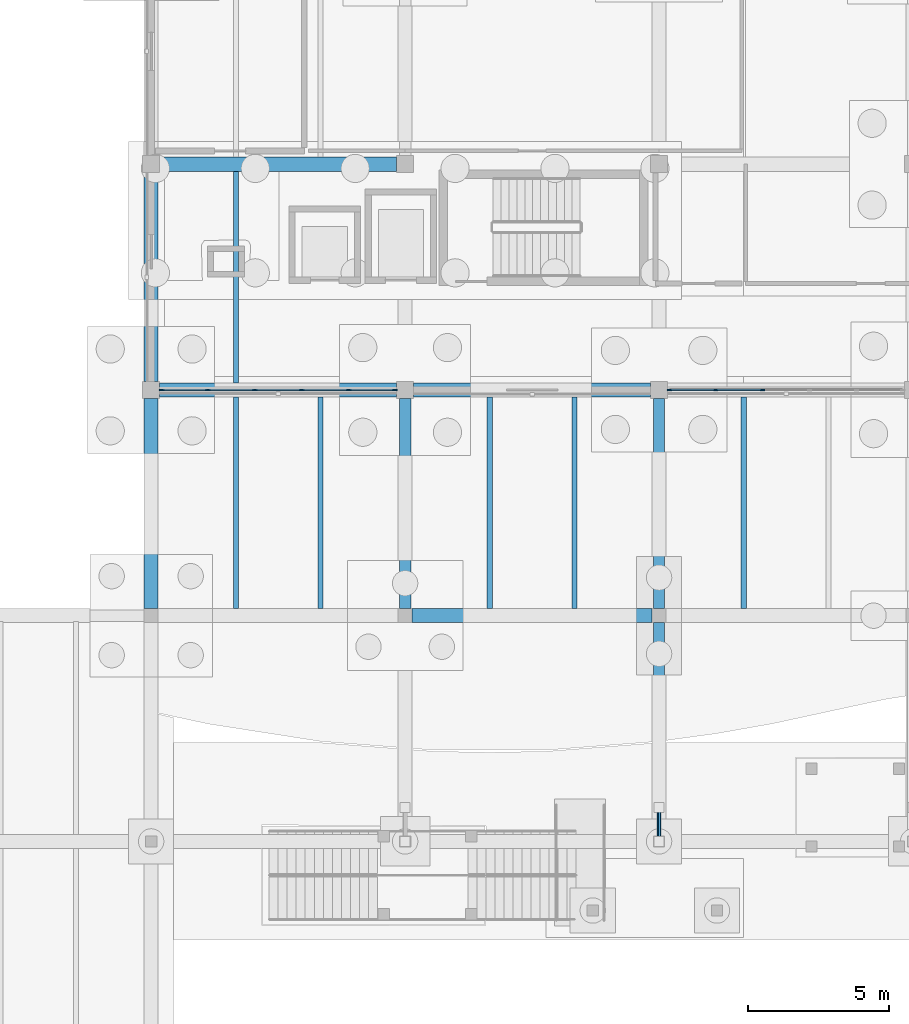
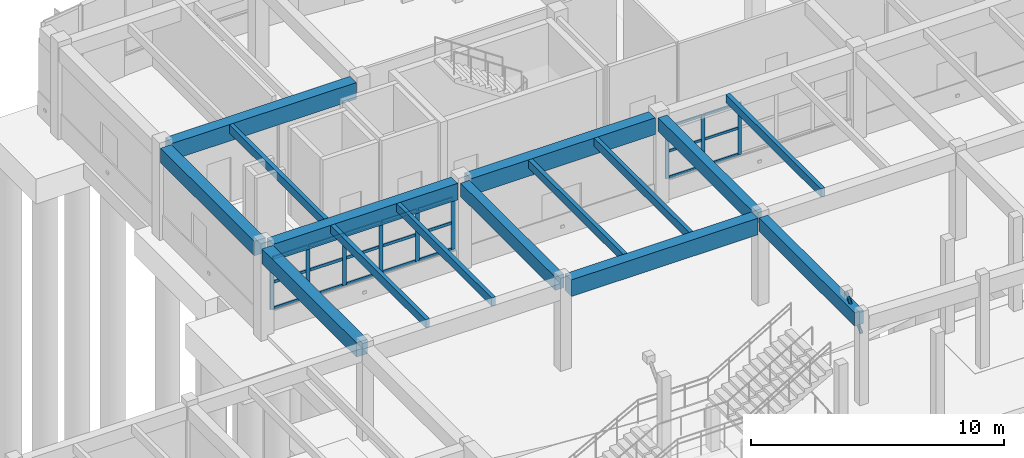
# One storey, part 29 of 99: 31 members, 15 beams, 2 elements without a shape of their own.
"""IFC4 building model written with IfcOpenShell, lengths in metres."""

from ifc_helpers import new_model, si_unit, direction, frame, origin, origin_2d, place, context, subcontext, project, spatial, rectangle, hollow_circle, extrude, material, layer, layer_set, material_profile, profile_set, type_object, element, aggregate, save


model = new_model("IFC4")

# Units and contexts
model_context = context("Model", 3, precision=1e-05, world=origin(), true_north=direction((0.0, 1.0)))
body_context = subcontext(model_context, "Body", "Model", "MODEL_VIEW")
ifc_project = project(units=[si_unit("LENGTHUNIT", "METRE"), si_unit("AREAUNIT", "SQUARE_METRE"), si_unit("VOLUMEUNIT", "CUBIC_METRE"), si_unit("PLANEANGLEUNIT", "RADIAN"), si_unit("MASSUNIT", "GRAM", prefix="KILO")], contexts=[model_context])

# Site, building, storey
site_placement = place(None, origin())
site = spatial("IfcSite", under=ifc_project, at=site_placement, CompositionType="ELEMENT")
building_placement = place(site_placement, origin())
building = spatial("IfcBuilding", under=site, at=building_placement, Name="Tonlespit Floodbar School", CompositionType="ELEMENT")
storey_placement = place(building_placement, origin())
storey = spatial("IfcBuildingStorey", under=building, at=storey_placement, Name="L00", CompositionType="ELEMENT", Elevation=0.0)

# Beams
ifc_material_1 = material(Name="Concrete C40/50", Category="concrete")
ifc_material_profile_1 = material_profile(ifc_material_1, rectangle(XDim=0.39990234375, YDim=0.64990234375, at=origin_2d()), Name="RC 400x650")
ifc_profile_set_1 = profile_set([ifc_material_profile_1], Name="Concrete C40/50")
beam_type_1 = type_object("IfcBeamType", Name="Beam_RC_400x650", PredefinedType="BEAM", material=ifc_profile_set_1)
beam_1_placement = place(storey_placement, frame((53.0, 96.25, 3.9150390625), z_axis=(0.0, 1.0, 0.0), x_axis=(-1.0, 0.0, 0.0)))
element("IfcBeam", 1, at=beam_1_placement, inside=storey, type_object=beam_type_1, Name="L00 girder 0236", PredefinedType="BEAM", context=body_context, shape_type="SweptSolid", body=[
    extrude(rectangle(XDim=0.39990234375, YDim=0.64990234375, at=origin_2d()), origin(), (0.0, 0.0, 1.0), 7.449951171875),
])
beam_2_placement = place(storey_placement, frame((62.0, 88.199951171875, 3.9150390625), z_axis=(0.0, 1.0, 0.0), x_axis=(-1.0, 0.0, 0.0)))
element("IfcBeam", 2, at=beam_2_placement, inside=storey, type_object=beam_type_1, Name="L00 girder 0238", PredefinedType="BEAM", context=body_context, shape_type="SweptSolid", body=[
    extrude(rectangle(XDim=0.39990234375, YDim=0.64990234375, at=origin_2d()), origin(), (0.0, 0.0, 1.0), 7.550048828125),
])
beam_3_placement = place(storey_placement, frame((62.0, 96.25, 3.9150390625), z_axis=(0.0, 1.0, 0.0), x_axis=(-1.0, 0.0, 0.0)))
element("IfcBeam", 3, at=beam_3_placement, inside=storey, type_object=beam_type_1, Name="L00 girder 0239", PredefinedType="BEAM", context=body_context, shape_type="SweptSolid", body=[
    extrude(rectangle(XDim=0.39990234375, YDim=0.64990234375, at=origin_2d()), origin(), (0.0, 0.0, 1.0), 7.449951171875),
])
ifc_material_profile_2 = material_profile(ifc_material_1, rectangle(XDim=0.5, YDim=0.800048828125, at=origin_2d()), Name="RC 500x800")
ifc_profile_set_2 = profile_set([ifc_material_profile_2], Name="Concrete C40/50")
beam_type_2 = type_object("IfcBeamType", Name="Beam_RC_500x800", PredefinedType="BEAM", material=ifc_profile_set_2)
beam_4_placement = place(storey_placement, frame((53.25, 96.0, 3.840087890625), z_axis=(1.0, 0.0, 0.0), x_axis=(0.0, 1.0, 0.0)))
element("IfcBeam", 4, at=beam_4_placement, inside=storey, type_object=beam_type_2, Name="L00 girder 0113", PredefinedType="BEAM", context=body_context, shape_type="SweptSolid", body=[
    extrude(rectangle(XDim=0.5, YDim=0.800048828125, at=origin_2d()), origin(), (0.0, 0.0, 1.0), 8.5),
])
for number, where, z_axis, x_axis, name in (
    (5, (44.300048828125, 104.0, 3.840087890625), (1.0, 0.0, 0.0), (0.0, 1.0, 0.0), "L00 girder 0124"),
    (6, (53.300048828125, 104.0, 3.840087890625), (1.0, 0.0, 0.0), (0.0, 1.0, 0.0), "L00 girder 0125"),
    (7, (44.300048828125, 112.0, 3.840087890625), (1.0, 0.0, 0.0), (0.0, 1.0, 0.0), "L00 girder 0140"),
):
    element("IfcBeam", number, at=place(storey_placement, frame(where, z_axis=z_axis, x_axis=x_axis)), inside=storey, type_object=beam_type_2, Name=name, PredefinedType="BEAM", context=body_context, shape_type="SweptSolid", body=[
        extrude(rectangle(XDim=0.5, YDim=0.800048828125, at=origin_2d()), origin(), (0.0, 0.0, 1.0), 8.39990234375),
    ])

# Curtain wall, members
ifc_material_2 = material(Name="Anodised Aluminium", Category="aluminium")
ifc_layer = layer(ifc_material_2, 0.159912109375)
ifc_layer_set = layer_set([ifc_layer], Name="Anodised Aluminium")
curtain_wall_type = type_object("IfcCurtainWallType", Name="CurtainWall_8300x2500", PredefinedType="NOTDEFINED", material=ifc_layer_set)
curtain_wall_1_placement = place(storey_placement, origin())
curtain_wall_1 = element("IfcCurtainWall", 8, at=curtain_wall_1_placement, inside=storey, type_object=curtain_wall_type, Name="L00 unitised curtain wall 0038", PredefinedType="NOTDEFINED")
ifc_material_profile_3 = material_profile(ifc_material_2, rectangle(XDim=0.06494140625, YDim=0.14990234375, at=origin_2d()), Name="ALU M65x150")
ifc_profile_set_3 = profile_set([ifc_material_profile_3], Name="Anodised Aluminium")
member_type_1 = type_object("IfcMemberType", Name="CW_Mullion_65x150", PredefinedType="MULLION", material=ifc_profile_set_3)
member_1_placement = place(storey_placement, frame((65.66796875, 104.0, 0.949951171875), z_axis=(0.0, 0.0, 1.0), x_axis=(0.0, -1.0, 0.0)))
member_1 = element("IfcMember", 9, at=member_1_placement, type_object=member_type_1, Name="CW-03 mullion 4", PredefinedType="MULLION", context=body_context, shape_type="SweptSolid", body=[
    extrude(rectangle(XDim=0.06494140625, YDim=0.14990234375, at=origin_2d()), origin(), (0.0, 0.0, 1.0), 2.489990234375),
])
member_2_placement = place(storey_placement, frame((64.00390625, 104.0, 0.949951171875), z_axis=(0.0, 0.0, 1.0), x_axis=(0.0, -1.0, 0.0)))
member_2 = element("IfcMember", 10, at=member_2_placement, type_object=member_type_1, Name="CW-03 mullion 5", PredefinedType="MULLION", context=body_context, shape_type="SweptSolid", body=[
    extrude(rectangle(XDim=0.06494140625, YDim=0.14990234375, at=origin_2d()), origin(), (0.0, 0.0, 1.0), 2.489990234375),
])
member_3_placement = place(storey_placement, frame((62.37255859375, 104.0, 0.949951171875), z_axis=(0.0, 0.0, 1.0), x_axis=(0.0, -1.0, 0.0)))
member_3 = element("IfcMember", 11, at=member_3_placement, type_object=member_type_1, Name="CW-03 mullion 6", PredefinedType="MULLION", context=body_context, shape_type="SweptSolid", body=[
    extrude(rectangle(XDim=0.06494140625, YDim=0.14990234375, at=origin_2d()), origin(), (0.0, 0.0, 1.0), 2.489990234375),
])

curtain_wall_2_placement = place(storey_placement, origin())
curtain_wall_2 = element("IfcCurtainWall", 12, at=curtain_wall_2_placement, inside=storey, type_object=curtain_wall_type, Name="L00 unitised curtain wall 0039", PredefinedType="NOTDEFINED")
ifc_material_profile_4 = material_profile(ifc_material_2, rectangle(XDim=0.06494140625, YDim=0.179931640625, at=origin_2d()), Name="ALU M65x180")
ifc_profile_set_4 = profile_set([ifc_material_profile_4], Name="Anodised Aluminium")
member_type_2 = type_object("IfcMemberType", Name="CW_Mullion_65x180", PredefinedType="MULLION", material=ifc_profile_set_4)
member_4_placement = place(storey_placement, frame((52.62744140625, 104.0, 0.949951171875), z_axis=(0.0, 0.0, 1.0), x_axis=(0.0, -1.0, 0.0)))
member_4 = element("IfcMember", 13, at=member_4_placement, type_object=member_type_2, Name="CW-03 mullion 1", PredefinedType="MULLION", context=body_context, shape_type="SweptSolid", body=[
    extrude(rectangle(XDim=0.06494140625, YDim=0.179931640625, at=origin_2d()), origin(), (0.0, 0.0, 1.0), 2.489990234375),
])
member_5_placement = place(storey_placement, frame((50.99609375, 104.0, 0.949951171875), z_axis=(0.0, 0.0, 1.0), x_axis=(0.0, -1.0, 0.0)))
member_5 = element("IfcMember", 14, at=member_5_placement, type_object=member_type_2, Name="CW-03 mullion 2", PredefinedType="MULLION", context=body_context, shape_type="SweptSolid", body=[
    extrude(rectangle(XDim=0.06494140625, YDim=0.179931640625, at=origin_2d()), origin(), (0.0, 0.0, 1.0), 2.489990234375),
])
member_6_placement = place(storey_placement, frame((49.33203125, 104.0, 0.949951171875), z_axis=(0.0, 0.0, 1.0), x_axis=(0.0, -1.0, 0.0)))
member_6 = element("IfcMember", 15, at=member_6_placement, type_object=member_type_2, Name="CW-03 mullion 3", PredefinedType="MULLION", context=body_context, shape_type="SweptSolid", body=[
    extrude(rectangle(XDim=0.06494140625, YDim=0.179931640625, at=origin_2d()), origin(), (0.0, 0.0, 1.0), 2.489990234375),
])
member_7_placement = place(storey_placement, frame((47.66796875, 104.0, 0.949951171875), z_axis=(0.0, 0.0, 1.0), x_axis=(0.0, -1.0, 0.0)))
member_7 = element("IfcMember", 16, at=member_7_placement, type_object=member_type_2, Name="CW-03 mullion 4", PredefinedType="MULLION", context=body_context, shape_type="SweptSolid", body=[
    extrude(rectangle(XDim=0.06494140625, YDim=0.179931640625, at=origin_2d()), origin(), (0.0, 0.0, 1.0), 2.489990234375),
])
member_8_placement = place(storey_placement, frame((46.00390625, 104.0, 0.949951171875), z_axis=(0.0, 0.0, 1.0), x_axis=(0.0, -1.0, 0.0)))
member_8 = element("IfcMember", 17, at=member_8_placement, type_object=member_type_2, Name="CW-03 mullion 5", PredefinedType="MULLION", context=body_context, shape_type="SweptSolid", body=[
    extrude(rectangle(XDim=0.06494140625, YDim=0.179931640625, at=origin_2d()), origin(), (0.0, 0.0, 1.0), 2.489990234375),
])
member_9_placement = place(storey_placement, frame((44.37255859375, 104.0, 0.949951171875), z_axis=(0.0, 0.0, 1.0), x_axis=(0.0, -1.0, 0.0)))
member_9 = element("IfcMember", 18, at=member_9_placement, type_object=member_type_2, Name="CW-03 mullion 6", PredefinedType="MULLION", context=body_context, shape_type="SweptSolid", body=[
    extrude(rectangle(XDim=0.06494140625, YDim=0.179931640625, at=origin_2d()), origin(), (0.0, 0.0, 1.0), 2.489990234375),
])

# Member
ifc_material_profile_5 = material_profile(ifc_material_2, rectangle(XDim=0.06494140625, YDim=0.1201171875, at=origin_2d()), Name="ALU T65x120")
ifc_profile_set_5 = profile_set([ifc_material_profile_5], Name="Anodised Aluminium")
member_type_3 = type_object("IfcMemberType", Name="CW_Transom_65x120", PredefinedType="USERDEFINED", material=ifc_profile_set_5)
member_10_placement = place(storey_placement, frame((65.635498046875, 104.0, 0.982421875), z_axis=(-1.0, 0.0, 0.0), x_axis=(0.0, -1.0, 0.0)))
member_10 = element("IfcMember", 19, at=member_10_placement, type_object=member_type_3, Name="CW-03 transom 4.1", ObjectType="TRANSOM", PredefinedType="USERDEFINED", context=body_context, shape_type="SweptSolid", body=[
    extrude(rectangle(XDim=0.06494140625, YDim=0.1201171875, at=origin_2d()), origin(), (0.0, 0.0, 1.0), 1.598876953125),
])

member_11_placement = place(storey_placement, frame((65.635498046875, 104.0, 2.244873046875), z_axis=(-1.0, 0.0, 0.0), x_axis=(0.0, -1.0, 0.0)))
member_11 = element("IfcMember", 20, at=member_11_placement, type_object=member_type_3, Name="CW-03 transom 4.2", ObjectType="TRANSOM", PredefinedType="USERDEFINED", context=body_context, shape_type="SweptSolid", body=[
    extrude(rectangle(XDim=0.06494140625, YDim=0.1201171875, at=origin_2d()), origin(), (0.0, 0.0, 1.0), 1.598876953125),
])

member_12_placement = place(storey_placement, frame((65.635498046875, 104.0, 3.407470703125), z_axis=(-1.0, 0.0, 0.0), x_axis=(0.0, -1.0, 0.0)))
member_12 = element("IfcMember", 21, at=member_12_placement, type_object=member_type_3, Name="CW-03 transom 4.3", ObjectType="TRANSOM", PredefinedType="USERDEFINED", context=body_context, shape_type="SweptSolid", body=[
    extrude(rectangle(XDim=0.06494140625, YDim=0.1201171875, at=origin_2d()), origin(), (0.0, 0.0, 1.0), 1.598876953125),
])

member_13_placement = place(storey_placement, frame((63.971435546875, 104.0, 0.982421875), z_axis=(-1.0, 0.0, 0.0), x_axis=(0.0, -1.0, 0.0)))
member_13 = element("IfcMember", 22, at=member_13_placement, type_object=member_type_3, Name="CW-03 transom 5.1", ObjectType="TRANSOM", PredefinedType="USERDEFINED", context=body_context, shape_type="SweptSolid", body=[
    extrude(rectangle(XDim=0.06494140625, YDim=0.1201171875, at=origin_2d()), origin(), (0.0, 0.0, 1.0), 1.56640625),
])

member_14_placement = place(storey_placement, frame((63.971435546875, 104.0, 2.244873046875), z_axis=(-1.0, 0.0, 0.0), x_axis=(0.0, -1.0, 0.0)))
member_14 = element("IfcMember", 23, at=member_14_placement, type_object=member_type_3, Name="CW-03 transom 5.2", ObjectType="TRANSOM", PredefinedType="USERDEFINED", context=body_context, shape_type="SweptSolid", body=[
    extrude(rectangle(XDim=0.06494140625, YDim=0.1201171875, at=origin_2d()), origin(), (0.0, 0.0, 1.0), 1.56640625),
])

member_15_placement = place(storey_placement, frame((63.971435546875, 104.0, 3.407470703125), z_axis=(-1.0, 0.0, 0.0), x_axis=(0.0, -1.0, 0.0)))
member_15 = element("IfcMember", 24, at=member_15_placement, type_object=member_type_3, Name="CW-03 transom 5.3", ObjectType="TRANSOM", PredefinedType="USERDEFINED", context=body_context, shape_type="SweptSolid", body=[
    extrude(rectangle(XDim=0.06494140625, YDim=0.1201171875, at=origin_2d()), origin(), (0.0, 0.0, 1.0), 1.56640625),
])

aggregate(curtain_wall_1, [member_1, member_2, member_3, member_10, member_11, member_12, member_13, member_14, member_15])

ifc_material_profile_6 = material_profile(ifc_material_2, rectangle(XDim=0.06494140625, YDim=0.139892578125, at=origin_2d()), Name="ALU T65x140")
ifc_profile_set_6 = profile_set([ifc_material_profile_6], Name="Anodised Aluminium")
member_type_4 = type_object("IfcMemberType", Name="CW_Transom_65x140", PredefinedType="USERDEFINED", material=ifc_profile_set_6)
member_16_placement = place(storey_placement, frame((52.594970703125, 104.0, 0.982421875), z_axis=(-1.0, 0.0, 0.0), x_axis=(0.0, -1.0, 0.0)))
member_16 = element("IfcMember", 25, at=member_16_placement, type_object=member_type_4, Name="CW-03 transom 1.1", ObjectType="TRANSOM", PredefinedType="USERDEFINED", context=body_context, shape_type="SweptSolid", body=[
    extrude(rectangle(XDim=0.06494140625, YDim=0.139892578125, at=origin_2d()), origin(), (0.0, 0.0, 1.0), 1.56640625),
])

member_17_placement = place(storey_placement, frame((52.594970703125, 104.0, 2.244873046875), z_axis=(-1.0, 0.0, 0.0), x_axis=(0.0, -1.0, 0.0)))
member_17 = element("IfcMember", 26, at=member_17_placement, type_object=member_type_4, Name="CW-03 transom 1.2", ObjectType="TRANSOM", PredefinedType="USERDEFINED", context=body_context, shape_type="SweptSolid", body=[
    extrude(rectangle(XDim=0.06494140625, YDim=0.139892578125, at=origin_2d()), origin(), (0.0, 0.0, 1.0), 1.56640625),
])

member_18_placement = place(storey_placement, frame((52.594970703125, 104.0, 3.407470703125), z_axis=(-1.0, 0.0, 0.0), x_axis=(0.0, -1.0, 0.0)))
member_18 = element("IfcMember", 27, at=member_18_placement, type_object=member_type_4, Name="CW-03 transom 1.3", ObjectType="TRANSOM", PredefinedType="USERDEFINED", context=body_context, shape_type="SweptSolid", body=[
    extrude(rectangle(XDim=0.06494140625, YDim=0.139892578125, at=origin_2d()), origin(), (0.0, 0.0, 1.0), 1.56640625),
])

member_19_placement = place(storey_placement, frame((50.96337890625, 104.0, 0.982421875), z_axis=(-1.0, 0.0, 0.0), x_axis=(0.0, -1.0, 0.0)))
member_19 = element("IfcMember", 28, at=member_19_placement, type_object=member_type_4, Name="CW-03 transom 2.1", ObjectType="TRANSOM", PredefinedType="USERDEFINED", context=body_context, shape_type="SweptSolid", body=[
    extrude(rectangle(XDim=0.06494140625, YDim=0.139892578125, at=origin_2d()), origin(), (0.0, 0.0, 1.0), 1.598876953125),
])

member_20_placement = place(storey_placement, frame((50.96337890625, 104.0, 2.244873046875), z_axis=(-1.0, 0.0, 0.0), x_axis=(0.0, -1.0, 0.0)))
member_20 = element("IfcMember", 29, at=member_20_placement, type_object=member_type_4, Name="CW-03 transom 2.2", ObjectType="TRANSOM", PredefinedType="USERDEFINED", context=body_context, shape_type="SweptSolid", body=[
    extrude(rectangle(XDim=0.06494140625, YDim=0.139892578125, at=origin_2d()), origin(), (0.0, 0.0, 1.0), 1.598876953125),
])

member_21_placement = place(storey_placement, frame((50.96337890625, 104.0, 3.407470703125), z_axis=(-1.0, 0.0, 0.0), x_axis=(0.0, -1.0, 0.0)))
member_21 = element("IfcMember", 30, at=member_21_placement, type_object=member_type_4, Name="CW-03 transom 2.3", ObjectType="TRANSOM", PredefinedType="USERDEFINED", context=body_context, shape_type="SweptSolid", body=[
    extrude(rectangle(XDim=0.06494140625, YDim=0.139892578125, at=origin_2d()), origin(), (0.0, 0.0, 1.0), 1.598876953125),
])

member_22_placement = place(storey_placement, frame((49.299560546875, 104.0, 0.982421875), z_axis=(-1.0, 0.0, 0.0), x_axis=(0.0, -1.0, 0.0)))
member_22 = element("IfcMember", 31, at=member_22_placement, type_object=member_type_4, Name="CW-03 transom 3.1", ObjectType="TRANSOM", PredefinedType="USERDEFINED", context=body_context, shape_type="SweptSolid", body=[
    extrude(rectangle(XDim=0.06494140625, YDim=0.139892578125, at=origin_2d()), origin(), (0.0, 0.0, 1.0), 1.59912109375),
])

member_23_placement = place(storey_placement, frame((49.299560546875, 104.0, 2.244873046875), z_axis=(-1.0, 0.0, 0.0), x_axis=(0.0, -1.0, 0.0)))
member_23 = element("IfcMember", 32, at=member_23_placement, type_object=member_type_4, Name="CW-03 transom 3.2", ObjectType="TRANSOM", PredefinedType="USERDEFINED", context=body_context, shape_type="SweptSolid", body=[
    extrude(rectangle(XDim=0.06494140625, YDim=0.139892578125, at=origin_2d()), origin(), (0.0, 0.0, 1.0), 1.59912109375),
])

member_24_placement = place(storey_placement, frame((49.299560546875, 104.0, 3.407470703125), z_axis=(-1.0, 0.0, 0.0), x_axis=(0.0, -1.0, 0.0)))
member_24 = element("IfcMember", 33, at=member_24_placement, type_object=member_type_4, Name="CW-03 transom 3.3", ObjectType="TRANSOM", PredefinedType="USERDEFINED", context=body_context, shape_type="SweptSolid", body=[
    extrude(rectangle(XDim=0.06494140625, YDim=0.139892578125, at=origin_2d()), origin(), (0.0, 0.0, 1.0), 1.59912109375),
])

member_25_placement = place(storey_placement, frame((47.635498046875, 104.0, 0.982421875), z_axis=(-1.0, 0.0, 0.0), x_axis=(0.0, -1.0, 0.0)))
member_25 = element("IfcMember", 34, at=member_25_placement, type_object=member_type_4, Name="CW-03 transom 4.1", ObjectType="TRANSOM", PredefinedType="USERDEFINED", context=body_context, shape_type="SweptSolid", body=[
    extrude(rectangle(XDim=0.06494140625, YDim=0.139892578125, at=origin_2d()), origin(), (0.0, 0.0, 1.0), 1.598876953125),
])

member_26_placement = place(storey_placement, frame((47.635498046875, 104.0, 2.244873046875), z_axis=(-1.0, 0.0, 0.0), x_axis=(0.0, -1.0, 0.0)))
member_26 = element("IfcMember", 35, at=member_26_placement, type_object=member_type_4, Name="CW-03 transom 4.2", ObjectType="TRANSOM", PredefinedType="USERDEFINED", context=body_context, shape_type="SweptSolid", body=[
    extrude(rectangle(XDim=0.06494140625, YDim=0.139892578125, at=origin_2d()), origin(), (0.0, 0.0, 1.0), 1.598876953125),
])

member_27_placement = place(storey_placement, frame((47.635498046875, 104.0, 3.407470703125), z_axis=(-1.0, 0.0, 0.0), x_axis=(0.0, -1.0, 0.0)))
member_27 = element("IfcMember", 36, at=member_27_placement, type_object=member_type_4, Name="CW-03 transom 4.3", ObjectType="TRANSOM", PredefinedType="USERDEFINED", context=body_context, shape_type="SweptSolid", body=[
    extrude(rectangle(XDim=0.06494140625, YDim=0.139892578125, at=origin_2d()), origin(), (0.0, 0.0, 1.0), 1.598876953125),
])

member_28_placement = place(storey_placement, frame((45.971435546875, 104.0, 0.982421875), z_axis=(-1.0, 0.0, 0.0), x_axis=(0.0, -1.0, 0.0)))
member_28 = element("IfcMember", 37, at=member_28_placement, type_object=member_type_4, Name="CW-03 transom 5.1", ObjectType="TRANSOM", PredefinedType="USERDEFINED", context=body_context, shape_type="SweptSolid", body=[
    extrude(rectangle(XDim=0.06494140625, YDim=0.139892578125, at=origin_2d()), origin(), (0.0, 0.0, 1.0), 1.56640625),
])

member_29_placement = place(storey_placement, frame((45.971435546875, 104.0, 2.244873046875), z_axis=(-1.0, 0.0, 0.0), x_axis=(0.0, -1.0, 0.0)))
member_29 = element("IfcMember", 38, at=member_29_placement, type_object=member_type_4, Name="CW-03 transom 5.2", ObjectType="TRANSOM", PredefinedType="USERDEFINED", context=body_context, shape_type="SweptSolid", body=[
    extrude(rectangle(XDim=0.06494140625, YDim=0.139892578125, at=origin_2d()), origin(), (0.0, 0.0, 1.0), 1.56640625),
])

member_30_placement = place(storey_placement, frame((45.971435546875, 104.0, 3.407470703125), z_axis=(-1.0, 0.0, 0.0), x_axis=(0.0, -1.0, 0.0)))
member_30 = element("IfcMember", 39, at=member_30_placement, type_object=member_type_4, Name="CW-03 transom 5.3", ObjectType="TRANSOM", PredefinedType="USERDEFINED", context=body_context, shape_type="SweptSolid", body=[
    extrude(rectangle(XDim=0.06494140625, YDim=0.139892578125, at=origin_2d()), origin(), (0.0, 0.0, 1.0), 1.56640625),
])

aggregate(curtain_wall_2, [member_4, member_5, member_6, member_7, member_8, member_9, member_16, member_17, member_18, member_19, member_20, member_21, member_22, member_23, member_24, member_25, member_26, member_27, member_28, member_29, member_30])

# Beams
ifc_material_3 = material(Name="Glulam GL28h", Category="wood")
ifc_material_profile_7 = material_profile(ifc_material_3, rectangle(XDim=0.179931640625, YDim=0.39990234375, at=origin_2d()), Name="GL 180x400")
ifc_profile_set_7 = profile_set([ifc_material_profile_7], Name="Glulam GL28h")
beam_type_3 = type_object("IfcBeamType", Name="Joist_GL_180x400", PredefinedType="JOIST", material=ifc_profile_set_7)
for number, where, z_axis, x_axis, name in (
    (40, (47.0, 96.25, 4.0400390625), (0.0, 1.0, 0.0), (-1.0, 0.0, 0.0), "L00 secondary joist 0480"),
    (41, (50.0, 96.25, 4.0400390625), (0.0, 1.0, 0.0), (-1.0, 0.0, 0.0), "L00 secondary joist 0481"),
    (42, (56.0, 96.25, 4.0400390625), (0.0, 1.0, 0.0), (-1.0, 0.0, 0.0), "L00 secondary joist 0482"),
    (43, (59.0, 96.25, 4.0400390625), (0.0, 1.0, 0.0), (-1.0, 0.0, 0.0), "L00 secondary joist 0483"),
    (44, (65.0, 96.25, 4.0400390625), (0.0, 1.0, 0.0), (-1.0, 0.0, 0.0), "L00 secondary joist 0484"),
    (45, (47.0, 104.25, 4.0400390625), (0.0, 1.0, 0.0), (-1.0, 0.0, 0.0), "L00 secondary joist 0504"),
):
    element("IfcBeam", number, at=place(storey_placement, frame(where, z_axis=z_axis, x_axis=x_axis)), inside=storey, type_object=beam_type_3, Name=name, PredefinedType="JOIST", context=body_context, shape_type="SweptSolid", body=[
        extrude(rectangle(XDim=0.179931640625, YDim=0.39990234375, at=origin_2d()), origin(), (0.0, 0.0, 1.0), 7.5),
    ])
ifc_material_profile_8 = material_profile(ifc_material_1, rectangle(XDim=0.5, YDim=0.699951171875, at=origin_2d()), Name="RC 500x700")
ifc_profile_set_8 = profile_set([ifc_material_profile_8], Name="Concrete C40/50")
beam_type_4 = type_object("IfcBeamType", Name="Spandrel_RC_500x700", PredefinedType="SPANDREL", material=ifc_profile_set_8)
beam_5_placement = place(storey_placement, frame((44.0, 96.25, 3.889892578125), z_axis=(0.0, 1.0, 0.0), x_axis=(-1.0, 0.0, 0.0)))
element("IfcBeam", 46, at=beam_5_placement, inside=storey, type_object=beam_type_4, Name="L00 girder 0233", PredefinedType="SPANDREL", context=body_context, shape_type="SweptSolid", body=[
    extrude(rectangle(XDim=0.5, YDim=0.699951171875, at=origin_2d()), origin(), (0.0, 0.0, 1.0), 7.449951171875),
])
beam_6_placement = place(storey_placement, frame((44.0, 104.300048828125, 3.889892578125), z_axis=(0.0, 1.0, 0.0), x_axis=(-1.0, 0.0, 0.0)))
element("IfcBeam", 47, at=beam_6_placement, inside=storey, type_object=beam_type_4, Name="L00 girder 0234", PredefinedType="SPANDREL", context=body_context, shape_type="SweptSolid", body=[
    extrude(rectangle(XDim=0.5, YDim=0.699951171875, at=origin_2d()), origin(), (0.0, 0.0, 1.0), 7.39990234375),
])

# Member
ifc_material_4 = material(Name="Steel S355", Category="steel")
ifc_material_profile_9 = material_profile(ifc_material_4, hollow_circle(Radius=0.06982421875, WallThickness=0.00634765625, at=origin_2d()), Name="CHS 139.7x6.3")
ifc_profile_set_9 = profile_set([ifc_material_profile_9], Name="Steel S355")
member_type_5 = type_object("IfcMemberType", Name="Strut_STL_CHS139", PredefinedType="STRUT", material=ifc_profile_set_9)
member_31_placement = place(storey_placement, frame((62.0, 88.0, 3.300048828125), z_axis=(0.0, 0.68391798523, 0.729558900623), x_axis=(-1.0, 0.0, 0.0)))
element("IfcMember", 48, at=member_31_placement, inside=storey, type_object=member_type_5, Name="North colonnade canopy strut 9", PredefinedType="STRUT", context=body_context, shape_type="SweptSolid", body=[
    extrude(hollow_circle(Radius=0.06982421875, WallThickness=0.00634765625, at=origin_2d()), origin(), (0.0, 0.0, 1.0), 1.754638671875),
])

save(model, "model.ifc")
